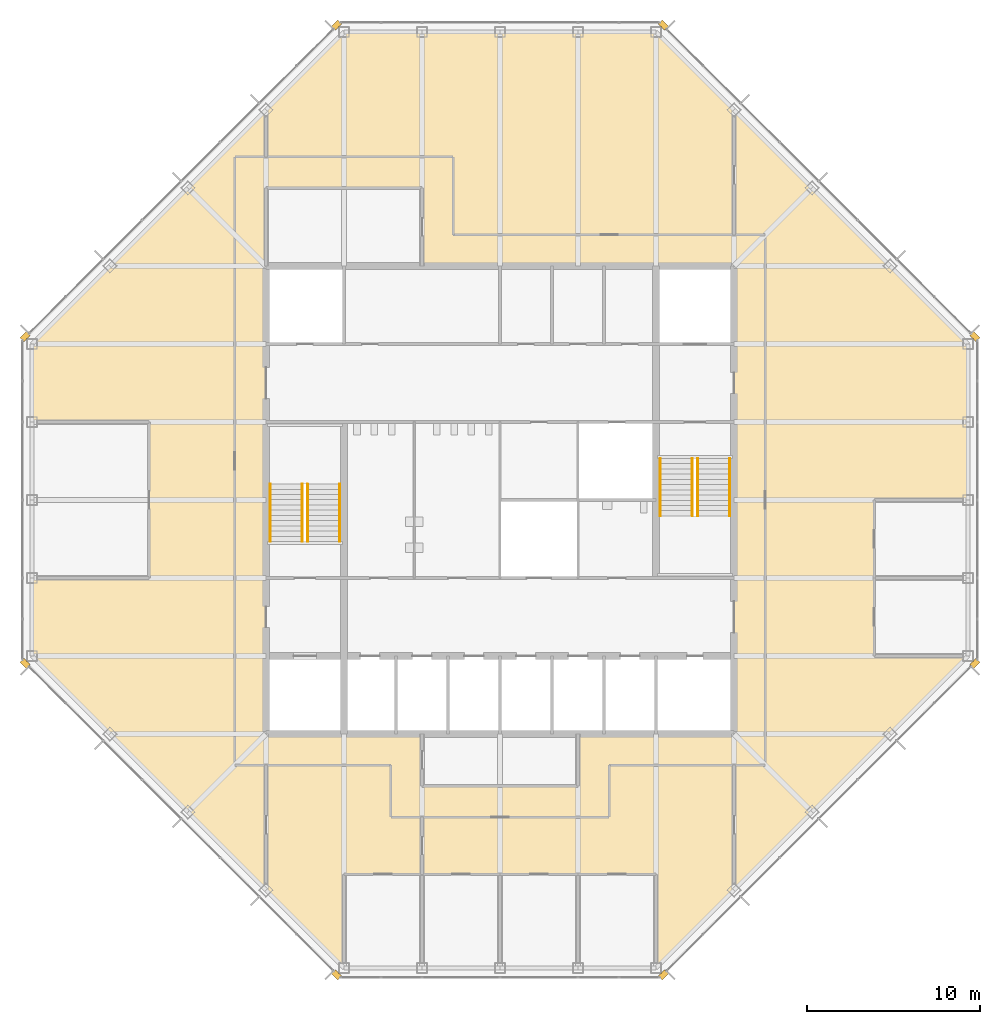
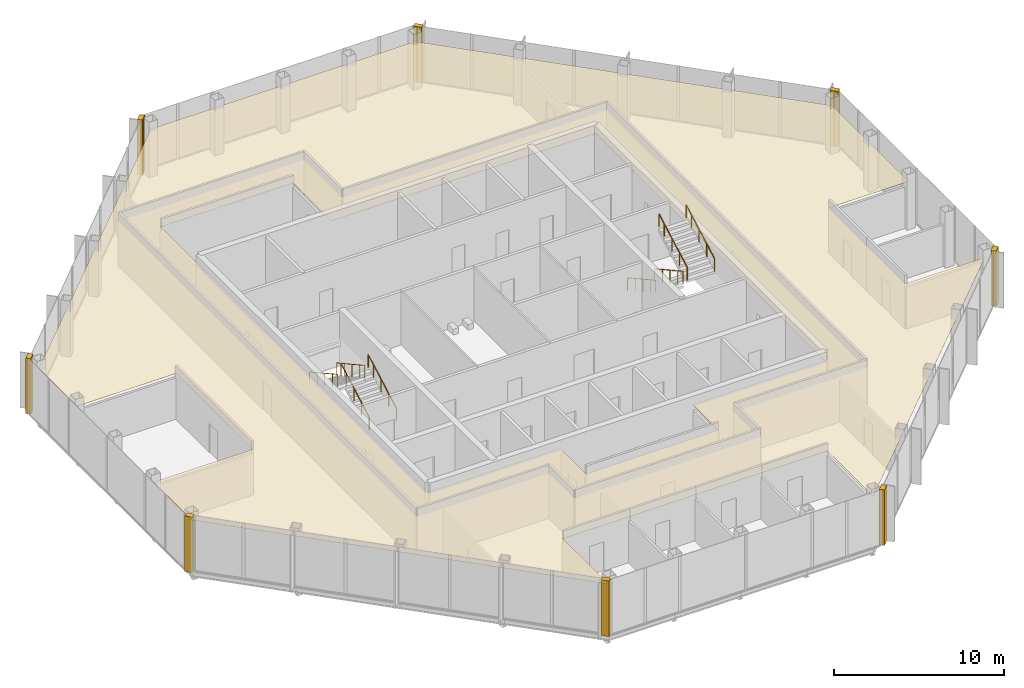
# One storey, part 12 of 13: 9 coverings, 8 railings.
"""IFC4 building model written with IfcOpenShell, lengths in metres."""

from ifc_helpers import new_model, si_unit, direction, frame, origin, origin_2d, place, context, subcontext, project, spatial, polyline, circle, outline, extrude, material, layer, layer_set, type_object, element, save


model = new_model("IFC4")

# Units and contexts
model_context = context("Model", 3, precision=1e-05, world=origin(), true_north=direction((0.0, 1.0)))
body_context = subcontext(model_context, "Body", "Model", "MODEL_VIEW")
ifc_project = project(units=[si_unit("LENGTHUNIT", "METRE"), si_unit("AREAUNIT", "SQUARE_METRE"), si_unit("VOLUMEUNIT", "CUBIC_METRE"), si_unit("PLANEANGLEUNIT", "RADIAN"), si_unit("MASSUNIT", "GRAM", prefix="KILO")], contexts=[model_context])

# Site, building, storey
site_placement = place(None, origin())
site = spatial("IfcSite", under=ifc_project, at=site_placement, CompositionType="ELEMENT")
building_placement = place(site_placement, origin())
building = spatial("IfcBuilding", under=site, at=building_placement, Name="Corais Broadcast Tower", CompositionType="ELEMENT")
storey_placement = place(building_placement, frame((0.0, 0.0, 270.60009765625)))
storey = spatial("IfcBuildingStorey", under=building, at=storey_placement, Name="L63", CompositionType="ELEMENT", Elevation=270.60009765625)

# Railings
ifc_material_1 = material(Name="Stainless steel handrail", Category="steel")
railing_type = type_object("IfcRailingType", Name="Handrail 920", PredefinedType="HANDRAIL", material=ifc_material_1)
for number, where, name in (
    (1, (17.75, 24.60009765625, 0.16650390625), "HR1 L63"),
    (2, (15.89990234375, 24.60009765625, 0.16650390625), "HR1 L63"),
):
    element("IfcRailing", number, at=place(storey_placement, frame(where)), inside=storey, type_object=railing_type, Name=name, PredefinedType="HANDRAIL", context=body_context, shape_type="SweptSolid", body=[
        extrude(circle(Radius=0.02392578125, at=origin_2d()), frame((0.0, 0.0, 0.89599609375), z_axis=(0.0, 0.875504475178, 0.483210010185), x_axis=(-1.0, 0.0, 0.0)), (0.0, 0.0, 1.0), 3.79443359375),
        extrude(circle(Radius=0.02099609375, at=origin_2d()), origin(), (0.0, 0.0, 1.0), 0.871826171875),
        extrude(circle(Radius=0.02099609375, at=origin_2d()), frame((0.0, 0.906005859375, 0.5)), (0.0, 0.0, 1.0), 0.871826171875),
        extrude(circle(Radius=0.02099609375, at=origin_2d()), frame((0.0, 1.81201171875, 1.0)), (0.0, 0.0, 1.0), 0.871826171875),
        extrude(circle(Radius=0.02099609375, at=origin_2d()), frame((0.0, 2.718017578125, 1.500244140625)), (0.0, 0.0, 1.0), 0.871826171875),
        extrude(circle(Radius=0.02099609375, at=origin_2d()), frame((0.0, 3.322021484375, 1.83349609375)), (0.0, 0.0, 1.0), 0.871826171875),
    ])
for number, where, name in (
    (3, (13.75, 27.922119140625, 2.16650390625), "HR1 L63"),
    (4, (15.60009765625, 27.922119140625, 2.16650390625), "HR1 L63"),
    (5, (36.25, 29.39990234375, 0.16650390625), "HR1 L63"),
    (6, (38.10009765625, 29.39990234375, 0.16650390625), "HR1 L63"),
):
    element("IfcRailing", number, at=place(storey_placement, frame(where)), inside=storey, type_object=railing_type, Name=name, PredefinedType="HANDRAIL", context=body_context, shape_type="SweptSolid", body=[
        extrude(circle(Radius=0.02392578125, at=origin_2d()), frame((0.0, 0.0, 0.89599609375), z_axis=(0.0, -0.875504475178, 0.483210010185), x_axis=(1.0, 0.0, 0.0)), (0.0, 0.0, 1.0), 3.79443359375),
        extrude(circle(Radius=0.02099609375, at=origin_2d()), origin(), (0.0, 0.0, 1.0), 0.871826171875),
        extrude(circle(Radius=0.02099609375, at=origin_2d()), frame((0.0, -0.906005859375, 0.5)), (0.0, 0.0, 1.0), 0.871826171875),
        extrude(circle(Radius=0.02099609375, at=origin_2d()), frame((0.0, -1.81201171875, 1.0)), (0.0, 0.0, 1.0), 0.871826171875),
        extrude(circle(Radius=0.02099609375, at=origin_2d()), frame((0.0, -2.718017578125, 1.500244140625)), (0.0, 0.0, 1.0), 0.871826171875),
        extrude(circle(Radius=0.02099609375, at=origin_2d()), frame((0.0, -3.322021484375, 1.83349609375)), (0.0, 0.0, 1.0), 0.871826171875),
    ])
for number, where, name in (
    (7, (40.25, 26.077880859375, 2.16650390625), "HR1 L63"),
    (8, (38.39990234375, 26.077880859375, 2.16650390625), "HR1 L63"),
):
    element("IfcRailing", number, at=place(storey_placement, frame(where)), inside=storey, type_object=railing_type, Name=name, PredefinedType="HANDRAIL", context=body_context, shape_type="SweptSolid", body=[
        extrude(circle(Radius=0.02392578125, at=origin_2d()), frame((0.0, 0.0, 0.89599609375), z_axis=(0.0, 0.875504475178, 0.483210010185), x_axis=(-1.0, 0.0, 0.0)), (0.0, 0.0, 1.0), 3.79443359375),
        extrude(circle(Radius=0.02099609375, at=origin_2d()), origin(), (0.0, 0.0, 1.0), 0.871826171875),
        extrude(circle(Radius=0.02099609375, at=origin_2d()), frame((0.0, 0.906005859375, 0.5)), (0.0, 0.0, 1.0), 0.871826171875),
        extrude(circle(Radius=0.02099609375, at=origin_2d()), frame((0.0, 1.81201171875, 1.0)), (0.0, 0.0, 1.0), 0.871826171875),
        extrude(circle(Radius=0.02099609375, at=origin_2d()), frame((0.0, 2.718017578125, 1.500244140625)), (0.0, 0.0, 1.0), 0.871826171875),
        extrude(circle(Radius=0.02099609375, at=origin_2d()), frame((0.0, 3.322021484375, 1.83349609375)), (0.0, 0.0, 1.0), 0.871826171875),
    ])

# Coverings
ifc_material_2 = material(Name="Granite stone cladding", Category="masonry")
ifc_layer_1 = layer(ifc_material_2, 0.324951171875)
ifc_layer_set_1 = layer_set([ifc_layer_1], Name="Granite stone cladding")
covering_type_1 = type_object("IfcCoveringType", Name="Stone corner pier cladding 500x325", PredefinedType="CLADDING", material=ifc_layer_set_1)
covering_1_placement = place(storey_placement, origin())
element("IfcCovering", 9, at=covering_1_placement, inside=storey, type_object=covering_type_1, Name="SP1 stone corner pier L63", PredefinedType="CLADDING", context=body_context, shape_type="SweptSolid", body=[
    extrude(outline(polyline([(17.860595703125, -0.461669921875), (17.72412109375, -0.324951171875), (17.675048828125, -0.324951171875), (17.675048828125, -0.27587890625), (17.507080078125, -0.108154296875), (17.277099609375, -0.337890625), (17.630859375, -0.69140625), (17.860595703125, -0.461669921875)])), origin(), (0.0, 0.0, 1.0), 4.0),
])
covering_2_placement = place(storey_placement, origin())
element("IfcCovering", 10, at=covering_2_placement, inside=storey, type_object=covering_type_1, Name="SP1 stone corner pier L63", PredefinedType="CLADDING", context=body_context, shape_type="SweptSolid", body=[
    extrude(outline(polyline([(-0.324951171875, 17.72412109375), (-0.461669921875, 17.860595703125), (-0.69140625, 17.630859375), (-0.337890625, 17.277099609375), (-0.108154296875, 17.507080078125), (-0.27587890625, 17.675048828125), (-0.324951171875, 17.675048828125), (-0.324951171875, 17.72412109375)])), origin(), (0.0, 0.0, 1.0), 4.0),
])
covering_3_placement = place(storey_placement, origin())
element("IfcCovering", 11, at=covering_3_placement, inside=storey, type_object=covering_type_1, Name="SP1 stone corner pier L63", PredefinedType="CLADDING", context=body_context, shape_type="SweptSolid", body=[
    extrude(outline(polyline([(-0.461669921875, 36.139404296875), (-0.324951171875, 36.27587890625), (-0.324951171875, 36.324951171875), (-0.27587890625, 36.324951171875), (-0.108154296875, 36.492919921875), (-0.337890625, 36.722900390625), (-0.69140625, 36.369140625), (-0.461669921875, 36.139404296875)])), origin(), (0.0, 0.0, 1.0), 4.0),
])
covering_4_placement = place(storey_placement, origin())
element("IfcCovering", 12, at=covering_4_placement, inside=storey, type_object=covering_type_1, Name="SP1 stone corner pier L63", PredefinedType="CLADDING", context=body_context, shape_type="SweptSolid", body=[
    extrude(outline(polyline([(17.72412109375, 54.324951171875), (17.860595703125, 54.461669921875), (17.630859375, 54.69140625), (17.277099609375, 54.337890625), (17.507080078125, 54.108154296875), (17.675048828125, 54.27587890625), (17.675048828125, 54.324951171875), (17.72412109375, 54.324951171875)])), origin(), (0.0, 0.0, 1.0), 4.0),
])
covering_5_placement = place(storey_placement, origin())
element("IfcCovering", 13, at=covering_5_placement, inside=storey, type_object=covering_type_1, Name="SP1 stone corner pier L63", PredefinedType="CLADDING", context=body_context, shape_type="SweptSolid", body=[
    extrude(outline(polyline([(36.139404296875, 54.461669921875), (36.27587890625, 54.324951171875), (36.324951171875, 54.324951171875), (36.324951171875, 54.27587890625), (36.492919921875, 54.108154296875), (36.722900390625, 54.337890625), (36.369140625, 54.69140625), (36.139404296875, 54.461669921875)])), origin(), (0.0, 0.0, 1.0), 4.0),
])
covering_6_placement = place(storey_placement, origin())
element("IfcCovering", 14, at=covering_6_placement, inside=storey, type_object=covering_type_1, Name="SP1 stone corner pier L63", PredefinedType="CLADDING", context=body_context, shape_type="SweptSolid", body=[
    extrude(outline(polyline([(54.324951171875, 36.27587890625), (54.461669921875, 36.139404296875), (54.69140625, 36.369140625), (54.337890625, 36.722900390625), (54.108154296875, 36.492919921875), (54.27587890625, 36.324951171875), (54.324951171875, 36.324951171875), (54.324951171875, 36.27587890625)])), origin(), (0.0, 0.0, 1.0), 4.0),
])
covering_7_placement = place(storey_placement, origin())
element("IfcCovering", 15, at=covering_7_placement, inside=storey, type_object=covering_type_1, Name="SP1 stone corner pier L63", PredefinedType="CLADDING", context=body_context, shape_type="SweptSolid", body=[
    extrude(outline(polyline([(54.461669921875, 17.860595703125), (54.324951171875, 17.72412109375), (54.324951171875, 17.675048828125), (54.27587890625, 17.675048828125), (54.108154296875, 17.507080078125), (54.337890625, 17.277099609375), (54.69140625, 17.630859375), (54.461669921875, 17.860595703125)])), origin(), (0.0, 0.0, 1.0), 4.0),
])
covering_8_placement = place(storey_placement, origin())
element("IfcCovering", 16, at=covering_8_placement, inside=storey, type_object=covering_type_1, Name="SP1 stone corner pier L63", PredefinedType="CLADDING", context=body_context, shape_type="SweptSolid", body=[
    extrude(outline(polyline([(36.27587890625, -0.324951171875), (36.139404296875, -0.461669921875), (36.369140625, -0.69140625), (36.722900390625, -0.337890625), (36.492919921875, -0.108154296875), (36.324951171875, -0.27587890625), (36.324951171875, -0.324951171875), (36.27587890625, -0.324951171875)])), origin(), (0.0, 0.0, 1.0), 4.0),
])
ifc_material_3 = material(Name="Mineral fibre ceiling tile", Category="mineral")
ifc_layer_2 = layer(ifc_material_3, 0.02001953125)
ifc_layer_set_2 = layer_set([ifc_layer_2], Name="Mineral fibre ceiling tile")
covering_type_2 = type_object("IfcCoveringType", Name="Suspended ceiling", PredefinedType="CEILING", material=ifc_layer_set_2)
covering_9_placement = place(storey_placement, frame((0.0, 0.0, 3.219970703125)))
element("IfcCovering", 17, at=covering_9_placement, inside=storey, type_object=covering_type_2, Name="CE1 ceiling L63", PredefinedType="CEILING", context=body_context, shape_type="SweptSolid", body=[
    extrude(outline(polyline([(13.5, 49.5), (13.5, 49.5), (18.0, 54.0), (36.0, 54.0), (54.0, 36.0), (54.0, 27.0), (48.60009765625, 27.0), (48.60009765625, 18.0), (54.0, 18.0), (40.500244140625, 4.500244140625), (40.49853515625, 4.49853515625), (40.498291015625, 4.498291015625), (36.0, 0.0), (36.0, 5.39990234375), (18.0, 5.39990234375), (18.0, 0.0), (13.501708984375, 4.498291015625), (13.499755859375, 4.500244140625), (0.0, 18.0), (0.0, 22.5), (6.75, 22.5), (6.75, 31.5), (0.0, 31.5), (0.0, 36.0), (13.5, 49.5)]), holes=[polyline([(22.5, 40.5), (22.5, 45.0), (13.5, 45.0), (13.5, 13.5), (22.5, 13.5), (22.5, 10.5), (31.5, 10.5), (31.5, 13.5), (40.5, 13.5), (40.5, 40.5), (22.5, 40.5)])]), origin(), (0.0, 0.0, 1.0), 0.02001953125),
])

save(model, "model.ifc")
